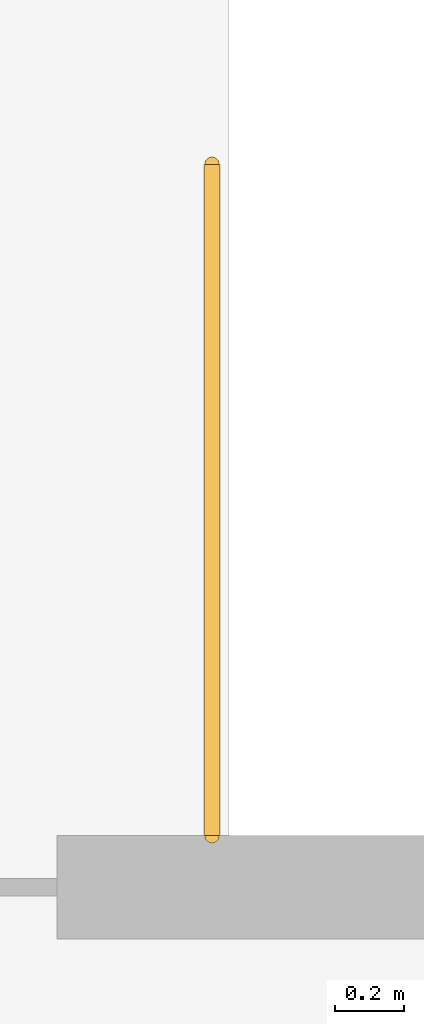
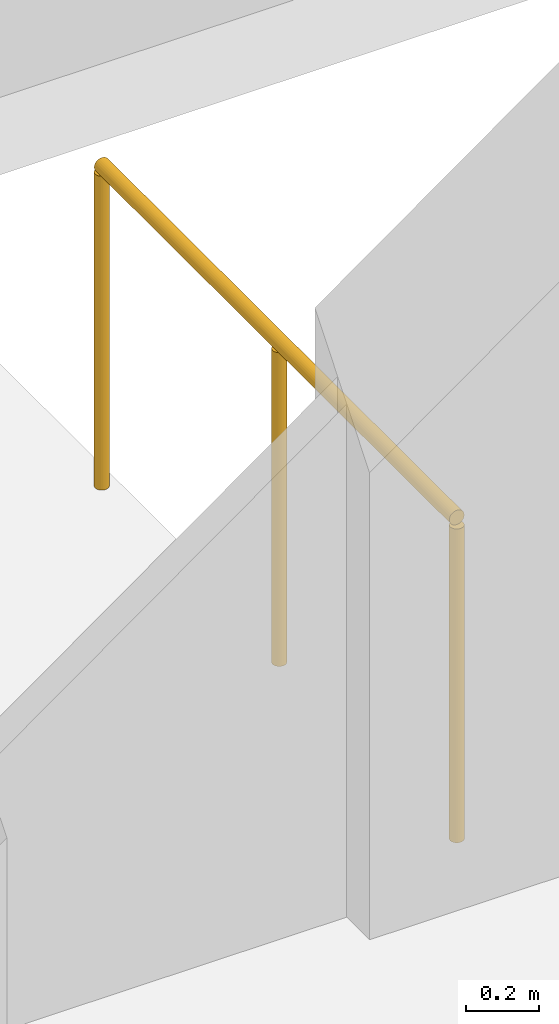
# One storey, part 127 of 127: 1 railing.
"""IFC4 building model written with IfcOpenShell, lengths in metres."""

from ifc_helpers import new_model, si_unit, direction, frame, origin, origin_2d, place, context, subcontext, project, spatial, circle, extrude, material, type_object, element, save


model = new_model("IFC4")

# Units and contexts
model_context = context("Model", 3, precision=1e-05, world=origin(), true_north=direction((0.0, 1.0)))
body_context = subcontext(model_context, "Body", "Model", "MODEL_VIEW")
ifc_project = project(units=[si_unit("LENGTHUNIT", "METRE"), si_unit("AREAUNIT", "SQUARE_METRE"), si_unit("VOLUMEUNIT", "CUBIC_METRE"), si_unit("PLANEANGLEUNIT", "RADIAN"), si_unit("MASSUNIT", "GRAM", prefix="KILO")], contexts=[model_context])

# Site, building, storey
site_placement = place(None, origin())
site = spatial("IfcSite", under=ifc_project, at=site_placement, CompositionType="ELEMENT")
building_placement = place(site_placement, origin())
building = spatial("IfcBuilding", under=site, at=building_placement, Name="Dunvalen Ferry Terminal", CompositionType="ELEMENT")
storey_placement = place(building_placement, frame((0.0, 0.0, 5.760009765625)))
storey = spatial("IfcBuildingStorey", under=building, at=storey_placement, Name="L01", CompositionType="ELEMENT", Elevation=5.760009765625)

# Railing
ifc_material = material(Name="Painted galvanised steel S275", Category="steel")
railing_type = type_object("IfcRailingType", Name="INT-RL-STGRD", PredefinedType="GUARDRAIL", material=ifc_material)
railing_placement = place(storey_placement, frame((153.449951171875, 81.85009765625, 0.0)))
element("IfcRailing", 1, at=railing_placement, inside=storey, type_object=railing_type, Name="L01 ST9 top well guard 1", PredefinedType="GUARDRAIL", context=body_context, shape_type="SweptSolid", body=[
    extrude(circle(Radius=0.02392578125, at=origin_2d()), frame((0.0, 0.0, 1.076171875), z_axis=(0.0, 1.0, 0.0), x_axis=(-1.0, 0.0, 0.0)), (0.0, 0.0, 1.0), 1.949951171875),
    extrude(circle(Radius=0.02099609375, at=origin_2d()), origin(), (0.0, 0.0, 1.0), 1.052001953125),
    extrude(circle(Radius=0.02099609375, at=origin_2d()), frame((0.0, 0.97509765625, 0.0)), (0.0, 0.0, 1.0), 1.052001953125),
    extrude(circle(Radius=0.02099609375, at=origin_2d()), frame((0.0, 1.949951171875, 0.0)), (0.0, 0.0, 1.0), 1.052001953125),
])

save(model, "model.ifc")
